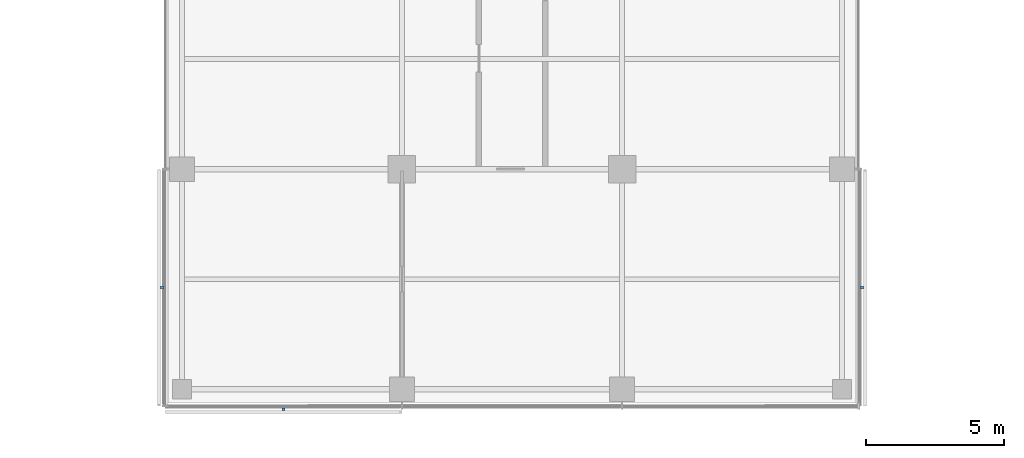
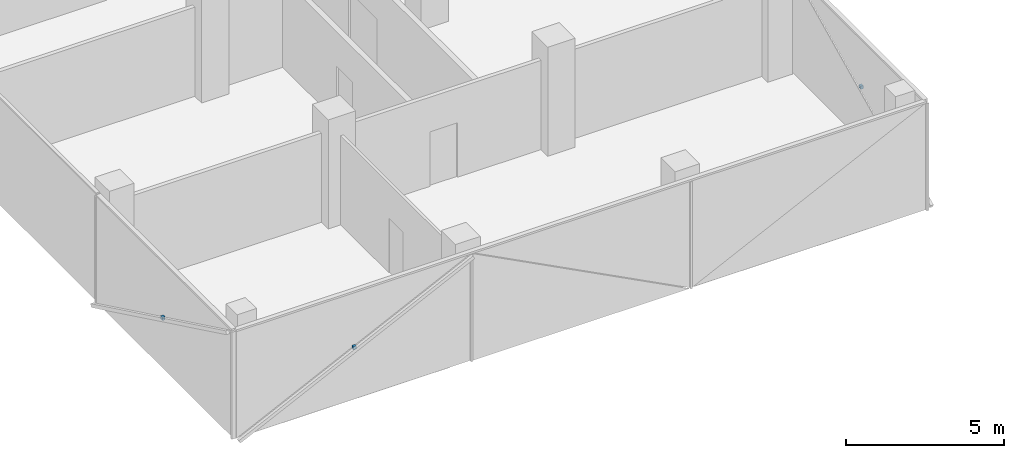
# One storey, part 18 of 22: 3 discrete accessories.
"""IFC4 building model written with IfcOpenShell, lengths in metres."""

from ifc_helpers import new_model, si_unit, direction, frame, origin, origin_2d, place, context, subcontext, project, spatial, rectangle, extrude, material, type_object, element, save


model = new_model("IFC4")

# Units and contexts
model_context = context("Model", 3, precision=1e-05, world=origin(), true_north=direction((0.0, 1.0)))
body_context = subcontext(model_context, "Body", "Model", "MODEL_VIEW")
ifc_project = project(units=[si_unit("LENGTHUNIT", "METRE"), si_unit("AREAUNIT", "SQUARE_METRE"), si_unit("VOLUMEUNIT", "CUBIC_METRE"), si_unit("PLANEANGLEUNIT", "RADIAN"), si_unit("MASSUNIT", "GRAM", prefix="KILO")], contexts=[model_context])

# Site, building, storey
site_placement = place(None, origin())
site = spatial("IfcSite", under=ifc_project, at=site_placement, CompositionType="ELEMENT")
building_placement = place(site_placement, origin())
building = spatial("IfcBuilding", under=site, at=building_placement, Name="Crosswind Convention Tower", CompositionType="ELEMENT")
storey_placement = place(building_placement, frame((0.0, 0.0, 154.699951171875)))
storey = spatial("IfcBuildingStorey", under=building, at=storey_placement, Name="L32", CompositionType="ELEMENT", Elevation=154.699951171875)

# Discrete accessories
ifc_material = material(Name="Stainless steel", Category="steel")
discrete_accessory_type = type_object("IfcDiscreteAccessoryType", Name="BAGUETTE BRACKET BK3", PredefinedType="BRACKET", material=ifc_material)
for number, where, z_axis, x_axis, name in (
    (1, (112.27392578125, 75.695068359375, 1.705078125), (0.0, 0.0, 1.0), (0.0, -1.0, 0.0), "BK3 baguette bracket"),
    (2, (116.695068359375, 71.27392578125, 1.705078125), (0.0, 0.0, 1.0), (1.0, 0.0, 0.0), "BK3 baguette bracket"),
    (3, (137.72607421875, 75.695068359375, 1.705078125), (0.0, 0.0, 1.0), (0.0, 1.0, 0.0), "BK3 baguette bracket"),
):
    element("IfcDiscreteAccessory", number, at=place(storey_placement, frame(where, z_axis=z_axis, x_axis=x_axis)), inside=storey, type_object=discrete_accessory_type, Name=name, PredefinedType="BRACKET", context=body_context, shape_type="SweptSolid", body=[
        extrude(rectangle(XDim=0.1201171875, YDim=0.10009765625, at=origin_2d()), origin(), (0.0, 0.0, 1.0), 0.1201171875),
    ])

save(model, "model.ifc")
